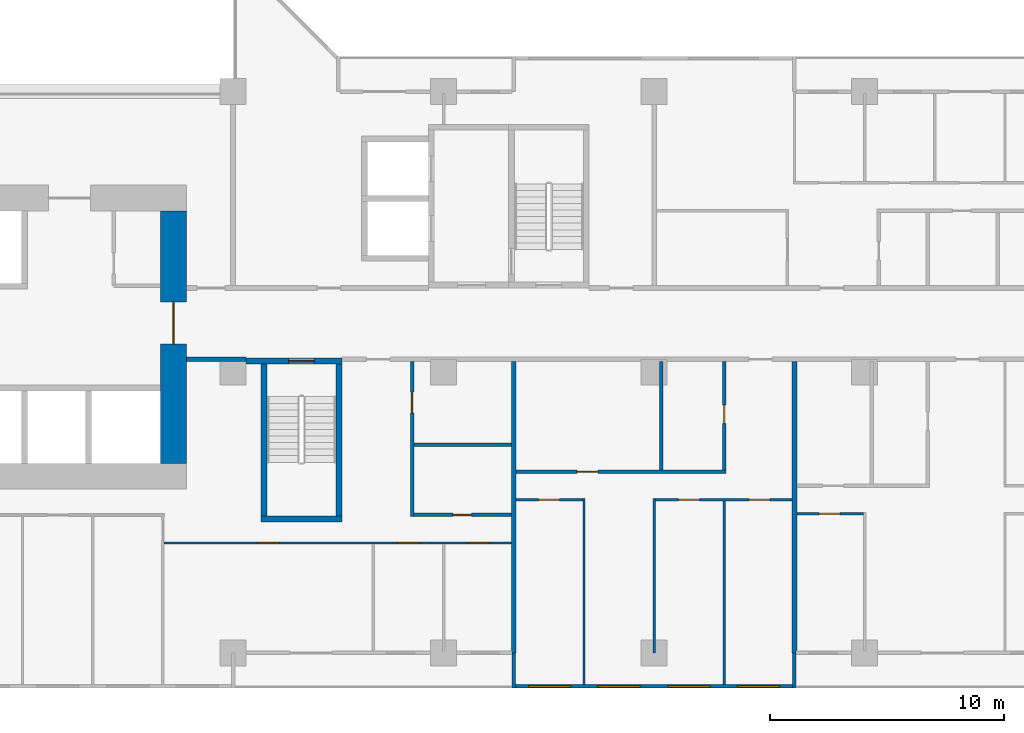
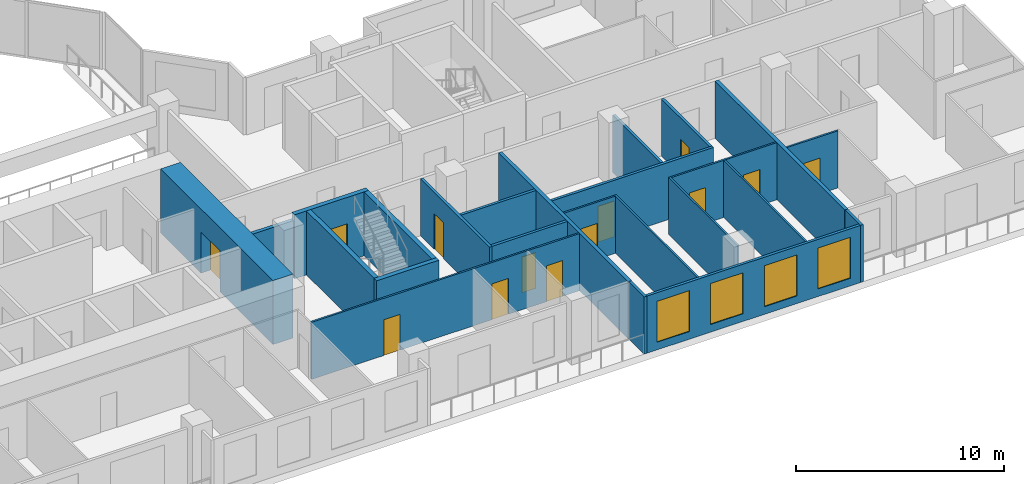
# One storey, part 6 of 15: 24 walls, 13 doors, 4 windows, 17 openings.
"""IFC4 building model written with IfcOpenShell, lengths in metres."""

from ifc_helpers import new_model, si_unit, direction, frame, frame_2d, origin, place, context, subcontext, project, spatial, rectangle, extrude, material, layer, layer_set, type_object, element, fill, save


model = new_model("IFC4")

# Units and contexts
model_context = context("Model", 3, precision=1e-05, world=origin(), true_north=direction((0.0, 1.0)))
body_context = subcontext(model_context, "Body", "Model", "MODEL_VIEW")
ifc_project = project(units=[si_unit("LENGTHUNIT", "METRE"), si_unit("AREAUNIT", "SQUARE_METRE"), si_unit("VOLUMEUNIT", "CUBIC_METRE"), si_unit("PLANEANGLEUNIT", "RADIAN"), si_unit("MASSUNIT", "GRAM", prefix="KILO")], contexts=[model_context])

# Site, building, storey
site_placement = place(None, origin())
site = spatial("IfcSite", under=ifc_project, at=site_placement, CompositionType="ELEMENT")
building_placement = place(site_placement, origin())
building = spatial("IfcBuilding", under=site, at=building_placement, Name="Chenar Terraces", CompositionType="ELEMENT")
storey_placement = place(building_placement, frame((0.0, 0.0, 45.14990234375)))
storey = spatial("IfcBuildingStorey", under=building, at=storey_placement, Name="L08", CompositionType="ELEMENT", Elevation=45.14990234375)

# Wall, opening, door
ifc_material_1 = material(Name="Concrete C70/85", Category="concrete")
ifc_layer_1 = layer(ifc_material_1, 1.10009765625)
ifc_layer_set_1 = layer_set([ifc_layer_1], Name="Concrete C70/85")
wall_type_1 = type_object("IfcWallType", Name="Core wall 1100 Concrete C70/85", PredefinedType="SHEAR", material=ifc_layer_set_1)
wall_1_placement = place(storey_placement, frame((33.449951171875, 8.10009765625, 0.0), z_axis=(0.0, 0.0, 1.0), x_axis=(0.0, 1.0, 0.0)))
wall_1 = element("IfcWall", 1, at=wall_1_placement, inside=storey, type_object=wall_type_1, Name="Core wall E L08", PredefinedType="SHEAR", context=body_context, shape_type="SweptSolid", body=[
    extrude(rectangle(XDim=10.7998046875, YDim=1.10009765625, at=frame_2d((5.39990234375, 0.0))), origin(), (0.0, 0.0, 1.0), 3.75),
])
opening_1_placement = place(wall_1_placement, frame((5.10009765625, 0.0, 0.0)))
opening_1 = element("IfcOpeningElement", 2, at=opening_1_placement, cuts=wall_1, Name="Opening DL08-C1", PredefinedType="OPENING", context=body_context, shape_type="SweptSolid", body=[
    extrude(rectangle(XDim=1.800048828125, YDim=2.39990234375, at=frame_2d((0.89990234375, 1.199951171875))), frame((0.0, 0.56005859375, 0.0), z_axis=(0.0, -1.0, 0.0), x_axis=(1.0, 0.0, 0.0)), (0.0, 0.0, 1.0), 1.1201171875),
])
ifc_material_2 = material(Name="Steel-framed fire-resisting door leaf", Category="steel")
door_type_1 = type_object("IfcDoorType", Name="Core entrance double fire door FD60 1800 x 2400", OperationType="DOUBLE_DOOR_SINGLE_SWING", PredefinedType="DOOR", material=ifc_material_2)
door_1_placement = place(opening_1_placement, origin())
door_1 = element("IfcDoor", 3, at=door_1_placement, inside=storey, type_object=door_type_1, Name="Core door DL08-C1", OperationType="DOUBLE_DOOR_SINGLE_SWING", OverallHeight=2.39990234375, OverallWidth=1.800048828125, PredefinedType="DOOR", context=body_context, shape_type="SweptSolid", body=[
    extrude(rectangle(XDim=1.800048828125, YDim=2.39990234375, at=frame_2d((0.89990234375, 1.199951171875))), frame((0.0, 0.02490234375, 0.0), z_axis=(0.0, -1.0, 0.0), x_axis=(1.0, 0.0, 0.0)), (0.0, 0.0, 1.0), 0.050048828125),
])
fill(opening_1, door_1)

# Wall
ifc_material_3 = material(Name="Concrete C70/85", Category="concrete")
ifc_layer_2 = layer(ifc_material_3, 0.25)
ifc_layer_set_2 = layer_set([ifc_layer_2], Name="Concrete C70/85")
wall_type_2 = type_object("IfcWallType", Name="Core wall 250 Concrete C70/85", PredefinedType="SHEAR", material=ifc_layer_set_2)
wall_2_placement = place(storey_placement, frame((37.199951171875, 5.72509765625, 0.0), z_axis=(0.0, 0.0, 1.0), x_axis=(1.0, 0.0, 0.0)))
element("IfcWall", 4, at=wall_2_placement, inside=storey, type_object=wall_type_2, Name="Core wall ST2_S L08", PredefinedType="SHEAR", context=body_context, shape_type="SweptSolid", body=[
    extrude(rectangle(XDim=3.449951171875, YDim=0.25, at=frame_2d((1.72509765625, 0.0))), origin(), (0.0, 0.0, 1.0), 3.75),
])

# Wall, opening, door
wall_3_placement = place(storey_placement, frame((36.550048828125, 12.47509765625, 0.0), z_axis=(0.0, 0.0, 1.0), x_axis=(1.0, 0.0, 0.0)))
wall_3 = element("IfcWall", 5, at=wall_3_placement, inside=storey, type_object=wall_type_2, Name="Core wall ST2_N L08", PredefinedType="SHEAR", context=body_context, shape_type="SweptSolid", body=[
    extrude(rectangle(XDim=4.099853515625, YDim=0.25, at=frame_2d((2.0498046875, 0.0))), origin(), (0.0, 0.0, 1.0), 3.75),
])
opening_2_placement = place(wall_3_placement, frame((1.824951171875, 0.0, 0.0)))
opening_2 = element("IfcOpeningElement", 6, at=opening_2_placement, cuts=wall_3, Name="Opening DL08-C7", PredefinedType="OPENING", context=body_context, shape_type="SweptSolid", body=[
    extrude(rectangle(XDim=1.10009765625, YDim=2.199951171875, at=frame_2d((0.550048828125, 1.10009765625))), frame((0.0, 0.135009765625, 0.0), z_axis=(0.0, -1.0, 0.0), x_axis=(1.0, 0.0, 0.0)), (0.0, 0.0, 1.0), 0.27001953125),
])
ifc_material_4 = material(Name="Steel-framed fire-resisting door leaf", Category="steel")
door_type_2 = type_object("IfcDoorType", Name="Stair fire door FD60 1100 x 2200", OperationType="SINGLE_SWING_LEFT", PredefinedType="DOOR", material=ifc_material_4)
door_2_placement = place(opening_2_placement, frame((1.10009765625, 0.0, 0.0), z_axis=(0.0, 0.0, 1.0), x_axis=(-1.0, 0.0, 0.0)))
door_2 = element("IfcDoor", 7, at=door_2_placement, inside=storey, type_object=door_type_2, Name="Stair door DL08-C7", OperationType="SINGLE_SWING_LEFT", OverallHeight=2.199951171875, OverallWidth=1.10009765625, PredefinedType="DOOR", context=body_context, shape_type="SweptSolid", body=[
    extrude(rectangle(XDim=1.10009765625, YDim=2.199951171875, at=frame_2d((0.550048828125, 1.10009765625))), frame((0.0, 0.02490234375, 0.0), z_axis=(0.0, -1.0, 0.0), x_axis=(1.0, 0.0, 0.0)), (0.0, 0.0, 1.0), 0.050048828125),
])
fill(opening_2, door_2)

# Walls
for number, where, z_axis, x_axis, name in (
    (8, (37.324951171875, 5.85009765625, 0.0), (0.0, 0.0, 1.0), (0.0, 1.0, 0.0), "Core wall ST2_W L08"),
    (9, (40.52490234375, 5.85009765625, 0.0), (0.0, 0.0, 1.0), (0.0, 1.0, 0.0), "Core wall ST2_E L08"),
):
    element("IfcWall", number, at=place(storey_placement, frame(where, z_axis=z_axis, x_axis=x_axis)), inside=storey, type_object=wall_type_2, Name=name, PredefinedType="SHEAR", context=body_context, shape_type="SweptSolid", body=[
        extrude(rectangle(XDim=6.5, YDim=0.25, at=frame_2d((3.25, 0.0))), origin(), (0.0, 0.0, 1.0), 3.75),
    ])
ifc_material_5 = material(Name="Gypsum board on steel studs with fire boards", Category="steel")
ifc_layer_3 = layer(ifc_material_5, 0.199951171875)
ifc_layer_set_3 = layer_set([ifc_layer_3], Name="Gypsum board on steel studs with fire boards")
wall_type_3 = type_object("IfcWallType", Name="Corridor wall 200", PredefinedType="PARTITIONING", material=ifc_layer_set_3)
wall_4_placement = place(storey_placement, frame((34.0, 12.550048828125, 0.0), z_axis=(0.0, 0.0, 1.0), x_axis=(1.0, 0.0, 0.0)))
element("IfcWall", 10, at=wall_4_placement, inside=storey, type_object=wall_type_3, Name="Partition L08-061", PredefinedType="PARTITIONING", context=body_context, shape_type="SweptSolid", body=[
    extrude(rectangle(XDim=2.551025390625, YDim=0.199951171875, at=frame_2d((1.275390625, 0.0))), origin(), (0.0, 0.0, 1.0), 3.35009765625),
])

# Wall, openings, windows
ifc_material_6 = material(Name="Aluminium framed glazing", Category="aluminium")
ifc_layer_4 = layer(ifc_material_6, 0.14990234375)
ifc_layer_set_4 = layer_set([ifc_layer_4], Name="Aluminium framed glazing")
wall_type_4 = type_object("IfcWallType", Name="Glazed flush facade wall 150", PredefinedType="SOLIDWALL", material=ifc_layer_set_4)
wall_5_placement = place(storey_placement, frame((48.074951171875, -1.425048828125, 0.0), z_axis=(0.0, 0.0, 1.0), x_axis=(1.0, 0.0, 0.0)))
wall_5 = element("IfcWall", 11, at=wall_5_placement, inside=storey, type_object=wall_type_4, Name="Glazed flush facade wall", PredefinedType="SOLIDWALL", context=body_context, shape_type="SweptSolid", body=[
    extrude(rectangle(XDim=11.85009765625, YDim=0.14990234375, at=frame_2d((5.925048828125, 0.0))), origin(), (0.0, 0.0, 1.0), 3.35009765625),
])
opening_3_placement = place(wall_5_placement, frame((0.5625, 0.0, 0.449951171875)))
opening_3 = element("IfcOpeningElement", 12, at=opening_3_placement, cuts=wall_5, Name="Opening W180x240", PredefinedType="OPENING", context=body_context, shape_type="SweptSolid", body=[
    extrude(rectangle(XDim=1.800048828125, YDim=2.39990234375, at=frame_2d((0.89990234375, 1.199951171875))), frame((0.0, 0.0849609375, 0.0), z_axis=(0.0, -1.0, 0.0), x_axis=(1.0, 0.0, 0.0)), (0.0, 0.0, 1.0), 0.169921875),
])
opening_4_placement = place(wall_5_placement, frame((3.52490234375, 0.0, 0.449951171875)))
opening_4 = element("IfcOpeningElement", 13, at=opening_4_placement, cuts=wall_5, Name="Opening W180x240", PredefinedType="OPENING", context=body_context, shape_type="SweptSolid", body=[
    extrude(rectangle(XDim=1.800048828125, YDim=2.39990234375, at=frame_2d((0.89990234375, 1.199951171875))), frame((0.0, 0.0849609375, 0.0), z_axis=(0.0, -1.0, 0.0), x_axis=(1.0, 0.0, 0.0)), (0.0, 0.0, 1.0), 0.169921875),
])
opening_5_placement = place(wall_5_placement, frame((6.52490234375, 0.0, 0.449951171875)))
opening_5 = element("IfcOpeningElement", 14, at=opening_5_placement, cuts=wall_5, Name="Opening W180x240", PredefinedType="OPENING", context=body_context, shape_type="SweptSolid", body=[
    extrude(rectangle(XDim=1.800048828125, YDim=2.39990234375, at=frame_2d((0.89990234375, 1.199951171875))), frame((0.0, 0.0849609375, 0.0), z_axis=(0.0, -1.0, 0.0), x_axis=(1.0, 0.0, 0.0)), (0.0, 0.0, 1.0), 0.169921875),
])
opening_6_placement = place(wall_5_placement, frame((9.487548828125, 0.0, 0.449951171875)))
opening_6 = element("IfcOpeningElement", 15, at=opening_6_placement, cuts=wall_5, Name="Opening W180x240", PredefinedType="OPENING", context=body_context, shape_type="SweptSolid", body=[
    extrude(rectangle(XDim=1.800048828125, YDim=2.39990234375, at=frame_2d((0.89990234375, 1.199951171875))), frame((0.0, 0.0849609375, 0.0), z_axis=(0.0, -1.0, 0.0), x_axis=(1.0, 0.0, 0.0)), (0.0, 0.0, 1.0), 0.169921875),
])
ifc_material_7 = material(Name="Low emissivity double glazing, aluminium frame", Category="aluminium")
window_type = type_object("IfcWindowType", Name="Fixed light 1800 x 2400", PartitioningType="SINGLE_PANEL", PredefinedType="WINDOW", material=ifc_material_7)
window_1_placement = place(opening_3_placement, origin())
window_1 = element("IfcWindow", 16, at=window_1_placement, inside=storey, type_object=window_type, Name="Window", OverallHeight=2.39990234375, OverallWidth=1.800048828125, PartitioningType="SINGLE_PANEL", PredefinedType="WINDOW", context=body_context, shape_type="SweptSolid", body=[
    extrude(rectangle(XDim=1.800048828125, YDim=2.39990234375, at=frame_2d((0.89990234375, 1.199951171875))), frame((0.0, 0.030029296875, 0.0), z_axis=(0.0, -1.0, 0.0), x_axis=(1.0, 0.0, 0.0)), (0.0, 0.0, 1.0), 0.06005859375),
])
fill(opening_3, window_1)
window_2_placement = place(opening_4_placement, origin())
window_2 = element("IfcWindow", 17, at=window_2_placement, inside=storey, type_object=window_type, Name="Window", OverallHeight=2.39990234375, OverallWidth=1.800048828125, PartitioningType="SINGLE_PANEL", PredefinedType="WINDOW", context=body_context, shape_type="SweptSolid", body=[
    extrude(rectangle(XDim=1.800048828125, YDim=2.39990234375, at=frame_2d((0.89990234375, 1.199951171875))), frame((0.0, 0.030029296875, 0.0), z_axis=(0.0, -1.0, 0.0), x_axis=(1.0, 0.0, 0.0)), (0.0, 0.0, 1.0), 0.06005859375),
])
fill(opening_4, window_2)
window_3_placement = place(opening_5_placement, origin())
window_3 = element("IfcWindow", 18, at=window_3_placement, inside=storey, type_object=window_type, Name="Window", OverallHeight=2.39990234375, OverallWidth=1.800048828125, PartitioningType="SINGLE_PANEL", PredefinedType="WINDOW", context=body_context, shape_type="SweptSolid", body=[
    extrude(rectangle(XDim=1.800048828125, YDim=2.39990234375, at=frame_2d((0.89990234375, 1.199951171875))), frame((0.0, 0.030029296875, 0.0), z_axis=(0.0, -1.0, 0.0), x_axis=(1.0, 0.0, 0.0)), (0.0, 0.0, 1.0), 0.06005859375),
])
fill(opening_5, window_3)
window_4_placement = place(opening_6_placement, origin())
window_4 = element("IfcWindow", 19, at=window_4_placement, inside=storey, type_object=window_type, Name="Window", OverallHeight=2.39990234375, OverallWidth=1.800048828125, PartitioningType="SINGLE_PANEL", PredefinedType="WINDOW", context=body_context, shape_type="SweptSolid", body=[
    extrude(rectangle(XDim=1.800048828125, YDim=2.39990234375, at=frame_2d((0.89990234375, 1.199951171875))), frame((0.0, 0.030029296875, 0.0), z_axis=(0.0, -1.0, 0.0), x_axis=(1.0, 0.0, 0.0)), (0.0, 0.0, 1.0), 0.06005859375),
])
fill(opening_6, window_4)

# Wall, openings, doors
ifc_material_8 = material(Name="Gypsum board on steel studs", Category="steel")
ifc_layer_5 = layer(ifc_material_8, 0.10009765625)
ifc_layer_set_5 = layer_set([ifc_layer_5], Name="Gypsum board on steel studs")
wall_type_5 = type_object("IfcWallType", Name="Gypsum partition 100", PredefinedType="PARTITIONING", material=ifc_layer_set_5)
wall_6_placement = place(storey_placement, frame((33.050048828125, 4.699951171875, 0.0), z_axis=(0.0, 0.0, 1.0), x_axis=(1.0, 0.0, 0.0)))
wall_6 = element("IfcWall", 20, at=wall_6_placement, inside=storey, type_object=wall_type_5, Name="Partition L08-060", PredefinedType="PARTITIONING", context=body_context, shape_type="SweptSolid", body=[
    extrude(rectangle(XDim=14.849853515625, YDim=0.10009765625, at=frame_2d((7.4248046875, 0.0))), origin(), (0.0, 0.0, 1.0), 3.35009765625),
])
opening_7_placement = place(wall_6_placement, frame((10.0, 0.0, 0.0)))
opening_7 = element("IfcOpeningElement", 21, at=opening_7_placement, cuts=wall_6, Name="Opening DL08-57", PredefinedType="OPENING", context=body_context, shape_type="SweptSolid", body=[
    extrude(rectangle(XDim=0.89990234375, YDim=2.10009765625, at=frame_2d((0.449951171875, 1.050048828125))), frame((0.0, 0.06005859375, 0.0), z_axis=(0.0, -1.0, 0.0), x_axis=(1.0, 0.0, 0.0)), (0.0, 0.0, 1.0), 0.1201171875),
])
opening_8_placement = place(wall_6_placement, frame((13.0, 0.0, 0.0)))
opening_8 = element("IfcOpeningElement", 22, at=opening_8_placement, cuts=wall_6, Name="Opening DL08-58", PredefinedType="OPENING", context=body_context, shape_type="SweptSolid", body=[
    extrude(rectangle(XDim=0.89990234375, YDim=2.10009765625, at=frame_2d((0.449951171875, 1.050048828125))), frame((0.0, 0.06005859375, 0.0), z_axis=(0.0, -1.0, 0.0), x_axis=(1.0, 0.0, 0.0)), (0.0, 0.0, 1.0), 0.1201171875),
])
opening_9_placement = place(wall_6_placement, frame((4.0, 0.0, 0.0)))
opening_9 = element("IfcOpeningElement", 23, at=opening_9_placement, cuts=wall_6, Name="Opening DL08-64", PredefinedType="OPENING", context=body_context, shape_type="SweptSolid", body=[
    extrude(rectangle(XDim=0.89990234375, YDim=2.10009765625, at=frame_2d((0.449951171875, 1.050048828125))), frame((0.0, 0.06005859375, 0.0), z_axis=(0.0, -1.0, 0.0), x_axis=(1.0, 0.0, 0.0)), (0.0, 0.0, 1.0), 0.1201171875),
])
ifc_material_9 = material(Name="Veneered timber door leaf", Category="wood")
door_type_3 = type_object("IfcDoorType", Name="Door 900 x 2100", OperationType="SINGLE_SWING_LEFT", PredefinedType="DOOR", material=ifc_material_9)
door_3_placement = place(opening_7_placement, frame((0.89990234375, 0.0, 0.0), z_axis=(0.0, 0.0, 1.0), x_axis=(-1.0, 0.0, 0.0)))
door_3 = element("IfcDoor", 24, at=door_3_placement, inside=storey, type_object=door_type_3, Name="Door DL08-57", OperationType="SINGLE_SWING_LEFT", OverallHeight=2.10009765625, OverallWidth=0.89990234375, PredefinedType="DOOR", context=body_context, shape_type="SweptSolid", body=[
    extrude(rectangle(XDim=0.89990234375, YDim=2.10009765625, at=frame_2d((0.449951171875, 1.050048828125))), frame((0.0, 0.02490234375, 0.0), z_axis=(0.0, -1.0, 0.0), x_axis=(1.0, 0.0, 0.0)), (0.0, 0.0, 1.0), 0.050048828125),
])
fill(opening_7, door_3)
door_4_placement = place(opening_8_placement, frame((0.89990234375, 0.0, 0.0), z_axis=(0.0, 0.0, 1.0), x_axis=(-1.0, 0.0, 0.0)))
door_4 = element("IfcDoor", 25, at=door_4_placement, inside=storey, type_object=door_type_3, Name="Door DL08-58", OperationType="SINGLE_SWING_LEFT", OverallHeight=2.10009765625, OverallWidth=0.89990234375, PredefinedType="DOOR", context=body_context, shape_type="SweptSolid", body=[
    extrude(rectangle(XDim=0.89990234375, YDim=2.10009765625, at=frame_2d((0.449951171875, 1.050048828125))), frame((0.0, 0.02490234375, 0.0), z_axis=(0.0, -1.0, 0.0), x_axis=(1.0, 0.0, 0.0)), (0.0, 0.0, 1.0), 0.050048828125),
])
fill(opening_8, door_4)
door_5_placement = place(opening_9_placement, frame((0.89990234375, 0.0, 0.0), z_axis=(0.0, 0.0, 1.0), x_axis=(-1.0, 0.0, 0.0)))
door_5 = element("IfcDoor", 26, at=door_5_placement, inside=storey, type_object=door_type_3, Name="Door DL08-64", OperationType="SINGLE_SWING_LEFT", OverallHeight=2.10009765625, OverallWidth=0.89990234375, PredefinedType="DOOR", context=body_context, shape_type="SweptSolid", body=[
    extrude(rectangle(XDim=0.89990234375, YDim=2.10009765625, at=frame_2d((0.449951171875, 1.050048828125))), frame((0.0, 0.02490234375, 0.0), z_axis=(0.0, -1.0, 0.0), x_axis=(1.0, 0.0, 0.0)), (0.0, 0.0, 1.0), 0.050048828125),
])
fill(opening_9, door_5)

# Wall, opening, door
wall_7_placement = place(storey_placement, frame((48.10009765625, 6.550048828125, 0.0), z_axis=(0.0, 0.0, 1.0), x_axis=(1.0, 0.0, 0.0)))
wall_7 = element("IfcWall", 27, at=wall_7_placement, inside=storey, type_object=wall_type_5, Name="Partition L08-072", PredefinedType="PARTITIONING", context=body_context, shape_type="SweptSolid", body=[
    extrude(rectangle(XDim=2.849853515625, YDim=0.10009765625, at=frame_2d((1.4248046875, 0.0))), origin(), (0.0, 0.0, 1.0), 3.35009765625),
])
opening_10_placement = place(wall_7_placement, frame((0.949951171875, 0.0, 0.0)))
opening_10 = element("IfcOpeningElement", 28, at=opening_10_placement, cuts=wall_7, Name="Opening DL08-14", PredefinedType="OPENING", context=body_context, shape_type="SweptSolid", body=[
    extrude(rectangle(XDim=0.89990234375, YDim=2.10009765625, at=frame_2d((0.449951171875, 1.050048828125))), frame((0.0, 0.06005859375, 0.0), z_axis=(0.0, -1.0, 0.0), x_axis=(1.0, 0.0, 0.0)), (0.0, 0.0, 1.0), 0.1201171875),
])
door_6_placement = place(opening_10_placement, frame((0.89990234375, 0.0, 0.0), z_axis=(0.0, 0.0, 1.0), x_axis=(-1.0, 0.0, 0.0)))
door_6 = element("IfcDoor", 29, at=door_6_placement, inside=storey, type_object=door_type_3, Name="Door DL08-14", OperationType="SINGLE_SWING_LEFT", OverallHeight=2.10009765625, OverallWidth=0.89990234375, PredefinedType="DOOR", context=body_context, shape_type="SweptSolid", body=[
    extrude(rectangle(XDim=0.89990234375, YDim=2.10009765625, at=frame_2d((0.449951171875, 1.050048828125))), frame((0.0, 0.02490234375, 0.0), z_axis=(0.0, -1.0, 0.0), x_axis=(1.0, 0.0, 0.0)), (0.0, 0.0, 1.0), 0.050048828125),
])
fill(opening_10, door_6)

# Walls
wall_8_placement = place(storey_placement, frame((51.0, -1.35009765625, 0.0), z_axis=(0.0, 0.0, 1.0), x_axis=(0.0, 1.0, 0.0)))
element("IfcWall", 30, at=wall_8_placement, inside=storey, type_object=wall_type_5, Name="Partition L08-074", PredefinedType="PARTITIONING", context=body_context, shape_type="SweptSolid", body=[
    extrude(rectangle(XDim=7.9501953125, YDim=0.10009765625, at=frame_2d((3.97509765625, 0.0))), origin(), (0.0, 0.0, 1.0), 3.35009765625),
])
wall_9_placement = place(storey_placement, frame((54.0, 0.0, 0.0), z_axis=(0.0, 0.0, 1.0), x_axis=(0.0, 1.0, 0.0)))
element("IfcWall", 31, at=wall_9_placement, inside=storey, type_object=wall_type_5, Name="Partition L08-076", PredefinedType="PARTITIONING", context=body_context, shape_type="SweptSolid", body=[
    extrude(rectangle(XDim=6.60009765625, YDim=0.10009765625, at=frame_2d((3.300048828125, 0.0))), origin(), (0.0, 0.0, 1.0), 3.35009765625),
])

# Wall, openings, doors
wall_10_placement = place(storey_placement, frame((54.050048828125, 6.550048828125, 0.0), z_axis=(0.0, 0.0, 1.0), x_axis=(1.0, 0.0, 0.0)))
wall_10 = element("IfcWall", 32, at=wall_10_placement, inside=storey, type_object=wall_type_5, Name="Partition L08-078", PredefinedType="PARTITIONING", context=body_context, shape_type="SweptSolid", body=[
    extrude(rectangle(XDim=5.849853515625, YDim=0.10009765625, at=frame_2d((2.9248046875, 0.0))), origin(), (0.0, 0.0, 1.0), 3.35009765625),
])
opening_11_placement = place(wall_10_placement, frame((1.0, 0.0, 0.0)))
opening_11 = element("IfcOpeningElement", 33, at=opening_11_placement, cuts=wall_10, Name="Opening DL08-15", PredefinedType="OPENING", context=body_context, shape_type="SweptSolid", body=[
    extrude(rectangle(XDim=0.89990234375, YDim=2.10009765625, at=frame_2d((0.449951171875, 1.050048828125))), frame((0.0, 0.06005859375, 0.0), z_axis=(0.0, -1.0, 0.0), x_axis=(1.0, 0.0, 0.0)), (0.0, 0.0, 1.0), 0.1201171875),
])
opening_12_placement = place(wall_10_placement, frame((4.0, 0.0, 0.0)))
opening_12 = element("IfcOpeningElement", 34, at=opening_12_placement, cuts=wall_10, Name="Opening DL08-16", PredefinedType="OPENING", context=body_context, shape_type="SweptSolid", body=[
    extrude(rectangle(XDim=0.89990234375, YDim=2.10009765625, at=frame_2d((0.449951171875, 1.050048828125))), frame((0.0, 0.06005859375, 0.0), z_axis=(0.0, -1.0, 0.0), x_axis=(1.0, 0.0, 0.0)), (0.0, 0.0, 1.0), 0.1201171875),
])
door_7_placement = place(opening_11_placement, frame((0.89990234375, 0.0, 0.0), z_axis=(0.0, 0.0, 1.0), x_axis=(-1.0, 0.0, 0.0)))
door_7 = element("IfcDoor", 35, at=door_7_placement, inside=storey, type_object=door_type_3, Name="Door DL08-15", OperationType="SINGLE_SWING_LEFT", OverallHeight=2.10009765625, OverallWidth=0.89990234375, PredefinedType="DOOR", context=body_context, shape_type="SweptSolid", body=[
    extrude(rectangle(XDim=0.89990234375, YDim=2.10009765625, at=frame_2d((0.449951171875, 1.050048828125))), frame((0.0, 0.02490234375, 0.0), z_axis=(0.0, -1.0, 0.0), x_axis=(1.0, 0.0, 0.0)), (0.0, 0.0, 1.0), 0.050048828125),
])
fill(opening_11, door_7)
door_8_placement = place(opening_12_placement, frame((0.89990234375, 0.0, 0.0), z_axis=(0.0, 0.0, 1.0), x_axis=(-1.0, 0.0, 0.0)))
door_8 = element("IfcDoor", 36, at=door_8_placement, inside=storey, type_object=door_type_3, Name="Door DL08-16", OperationType="SINGLE_SWING_LEFT", OverallHeight=2.10009765625, OverallWidth=0.89990234375, PredefinedType="DOOR", context=body_context, shape_type="SweptSolid", body=[
    extrude(rectangle(XDim=0.89990234375, YDim=2.10009765625, at=frame_2d((0.449951171875, 1.050048828125))), frame((0.0, 0.02490234375, 0.0), z_axis=(0.0, -1.0, 0.0), x_axis=(1.0, 0.0, 0.0)), (0.0, 0.0, 1.0), 0.050048828125),
])
fill(opening_12, door_8)

# Wall
wall_11_placement = place(storey_placement, frame((57.0, -1.35107421875, 0.0), z_axis=(0.0, 0.0, 1.0), x_axis=(0.0, 1.0, 0.0)))
element("IfcWall", 37, at=wall_11_placement, inside=storey, type_object=wall_type_5, Name="Partition L08-081", PredefinedType="PARTITIONING", context=body_context, shape_type="SweptSolid", body=[
    extrude(rectangle(XDim=7.85107421875, YDim=0.10009765625, at=frame_2d((3.925537109375, 0.0))), origin(), (0.0, 0.0, 1.0), 3.35009765625),
])

# Wall, opening, door
wall_12_placement = place(storey_placement, frame((60.10009765625, 5.949951171875, 0.0), z_axis=(0.0, 0.0, 1.0), x_axis=(1.0, 0.0, 0.0)))
wall_12 = element("IfcWall", 38, at=wall_12_placement, inside=storey, type_object=wall_type_5, Name="Partition L08-087", PredefinedType="PARTITIONING", context=body_context, shape_type="SweptSolid", body=[
    extrude(rectangle(XDim=2.849853515625, YDim=0.10009765625, at=frame_2d((1.4248046875, 0.0))), origin(), (0.0, 0.0, 1.0), 3.35009765625),
])
opening_13_placement = place(wall_12_placement, frame((0.949951171875, 0.0, 0.0)))
opening_13 = element("IfcOpeningElement", 39, at=opening_13_placement, cuts=wall_12, Name="Opening DL08-20", PredefinedType="OPENING", context=body_context, shape_type="SweptSolid", body=[
    extrude(rectangle(XDim=0.89990234375, YDim=2.10009765625, at=frame_2d((0.449951171875, 1.050048828125))), frame((0.0, 0.06005859375, 0.0), z_axis=(0.0, -1.0, 0.0), x_axis=(1.0, 0.0, 0.0)), (0.0, 0.0, 1.0), 0.1201171875),
])
door_9_placement = place(opening_13_placement, frame((0.89990234375, 0.0, 0.0), z_axis=(0.0, 0.0, 1.0), x_axis=(-1.0, 0.0, 0.0)))
door_9 = element("IfcDoor", 40, at=door_9_placement, inside=storey, type_object=door_type_3, Name="Door DL08-20", OperationType="SINGLE_SWING_LEFT", OverallHeight=2.10009765625, OverallWidth=0.89990234375, PredefinedType="DOOR", context=body_context, shape_type="SweptSolid", body=[
    extrude(rectangle(XDim=0.89990234375, YDim=2.10009765625, at=frame_2d((0.449951171875, 1.050048828125))), frame((0.0, 0.02490234375, 0.0), z_axis=(0.0, -1.0, 0.0), x_axis=(1.0, 0.0, 0.0)), (0.0, 0.0, 1.0), 0.050048828125),
])
fill(opening_13, door_9)

# Walls
ifc_material_10 = material(Name="Terracotta cladding on insulated backing", Category="masonry")
ifc_layer_6 = layer(ifc_material_10, 0.14990234375)
ifc_layer_set_6 = layer_set([ifc_layer_6], Name="Terracotta cladding on insulated backing")
wall_type_6 = type_object("IfcWallType", Name="Loggia return wall 150", PredefinedType="SOLIDWALL", material=ifc_layer_set_6)
for number, where, z_axis, x_axis, name in (
    (41, (48.0, -1.5, 0.0), (0.0, 0.0, 1.0), (0.0, 1.0, 0.0), "Loggia return wall"),
    (42, (60.0, -1.5, 0.0), (0.0, 0.0, 1.0), (0.0, 1.0, 0.0), "Loggia return wall"),
):
    element("IfcWall", number, at=place(storey_placement, frame(where, z_axis=z_axis, x_axis=x_axis)), inside=storey, type_object=wall_type_6, Name=name, PredefinedType="SOLIDWALL", context=body_context, shape_type="SweptSolid", body=[
        extrude(rectangle(XDim=1.5, YDim=0.14990234375, at=frame_2d((0.75, 0.0))), origin(), (0.0, 0.0, 1.0), 3.35009765625),
    ])
ifc_material_11 = material(Name="Twin gypsum board on steel studs with mineral wool", Category="steel")
ifc_layer_7 = layer(ifc_material_11, 0.199951171875)
ifc_layer_set_7 = layer_set([ifc_layer_7], Name="Twin gypsum board on steel studs with mineral wool")
wall_type_7 = type_object("IfcWallType", Name="Unit demising wall 200", PredefinedType="PARTITIONING", material=ifc_layer_set_7)
for number, where, z_axis, x_axis, name in (
    (43, (48.0, 0.0, 0.0), (0.0, 0.0, 1.0), (0.0, 1.0, 0.0), "Partition L08-071"),
    (44, (60.0, 0.0, 0.0), (0.0, 0.0, 1.0), (0.0, 1.0, 0.0), "Partition L08-085"),
):
    element("IfcWall", number, at=place(storey_placement, frame(where, z_axis=z_axis, x_axis=x_axis)), inside=storey, type_object=wall_type_7, Name=name, PredefinedType="PARTITIONING", context=body_context, shape_type="SweptSolid", body=[
        extrude(rectangle(XDim=12.449951171875, YDim=0.199951171875, at=frame_2d((6.22509765625, 0.0))), origin(), (0.0, 0.0, 1.0), 3.35009765625),
    ])

# Wall, opening, door
ifc_material_12 = material(Name="Moisture-resistant gypsum board on steel studs", Category="steel")
ifc_layer_8 = layer(ifc_material_12, 0.14990234375)
ifc_layer_set_8 = layer_set([ifc_layer_8], Name="Moisture-resistant gypsum board on steel studs")
wall_type_8 = type_object("IfcWallType", Name="Wet-room partition 150", PredefinedType="PARTITIONING", material=ifc_layer_set_8)
wall_13_placement = place(storey_placement, frame((43.64990234375, 5.824951171875, 0.0), z_axis=(0.0, 0.0, 1.0), x_axis=(0.0, 1.0, 0.0)))
wall_13 = element("IfcWall", 45, at=wall_13_placement, inside=storey, type_object=wall_type_8, Name="Partition L08-066", PredefinedType="PARTITIONING", context=body_context, shape_type="SweptSolid", body=[
    extrude(rectangle(XDim=6.625, YDim=0.14990234375, at=frame_2d((3.3125, 0.0))), origin(), (0.0, 0.0, 1.0), 3.35009765625),
])
opening_14_placement = place(wall_13_placement, frame((4.425048828125, 0.0, 0.0)))
opening_14 = element("IfcOpeningElement", 46, at=opening_14_placement, cuts=wall_13, Name="Opening DL08-62", PredefinedType="OPENING", context=body_context, shape_type="SweptSolid", body=[
    extrude(rectangle(XDim=0.89990234375, YDim=2.10009765625, at=frame_2d((0.449951171875, 1.050048828125))), frame((0.0, 0.0849609375, 0.0), z_axis=(0.0, -1.0, 0.0), x_axis=(1.0, 0.0, 0.0)), (0.0, 0.0, 1.0), 0.169921875),
])
door_10_placement = place(opening_14_placement, frame((0.89990234375, 0.0, 0.0), z_axis=(0.0, 0.0, 1.0), x_axis=(-1.0, 0.0, 0.0)))
door_10 = element("IfcDoor", 47, at=door_10_placement, inside=storey, type_object=door_type_3, Name="Door DL08-62", OperationType="SINGLE_SWING_LEFT", OverallHeight=2.10009765625, OverallWidth=0.89990234375, PredefinedType="DOOR", context=body_context, shape_type="SweptSolid", body=[
    extrude(rectangle(XDim=0.89990234375, YDim=2.10009765625, at=frame_2d((0.449951171875, 1.050048828125))), frame((0.0, 0.02490234375, 0.0), z_axis=(0.0, -1.0, 0.0), x_axis=(1.0, 0.0, 0.0)), (0.0, 0.0, 1.0), 0.050048828125),
])
fill(opening_14, door_10)

wall_14_placement = place(storey_placement, frame((43.72509765625, 5.89990234375, 0.0), z_axis=(0.0, 0.0, 1.0), x_axis=(1.0, 0.0, 0.0)))
wall_14 = element("IfcWall", 48, at=wall_14_placement, inside=storey, type_object=wall_type_8, Name="Partition L08-067", PredefinedType="PARTITIONING", context=body_context, shape_type="SweptSolid", body=[
    extrude(rectangle(XDim=4.1748046875, YDim=0.14990234375, at=frame_2d((2.08740234375, 0.0))), origin(), (0.0, 0.0, 1.0), 3.35009765625),
])
opening_15_placement = place(wall_14_placement, frame((1.675048828125, 0.0, 0.0)))
opening_15 = element("IfcOpeningElement", 49, at=opening_15_placement, cuts=wall_14, Name="Opening DL08-52", PredefinedType="OPENING", context=body_context, shape_type="SweptSolid", body=[
    extrude(rectangle(XDim=0.800048828125, YDim=2.10009765625, at=frame_2d((0.39990234375, 1.050048828125))), frame((0.0, 0.0849609375, 0.0), z_axis=(0.0, -1.0, 0.0), x_axis=(1.0, 0.0, 0.0)), (0.0, 0.0, 1.0), 0.169921875),
])
ifc_material_13 = material(Name="Veneered timber door leaf", Category="wood")
door_type_4 = type_object("IfcDoorType", Name="Door 800 x 2100", OperationType="SINGLE_SWING_LEFT", PredefinedType="DOOR", material=ifc_material_13)
door_11_placement = place(opening_15_placement, origin())
door_11 = element("IfcDoor", 50, at=door_11_placement, inside=storey, type_object=door_type_4, Name="Door DL08-52", OperationType="SINGLE_SWING_LEFT", OverallHeight=2.10009765625, OverallWidth=0.800048828125, PredefinedType="DOOR", context=body_context, shape_type="SweptSolid", body=[
    extrude(rectangle(XDim=0.800048828125, YDim=2.10009765625, at=frame_2d((0.39990234375, 1.050048828125))), frame((0.0, 0.02490234375, 0.0), z_axis=(0.0, -1.0, 0.0), x_axis=(1.0, 0.0, 0.0)), (0.0, 0.0, 1.0), 0.050048828125),
])
fill(opening_15, door_11)

# Wall
wall_15_placement = place(storey_placement, frame((43.72509765625, 8.89990234375, 0.0), z_axis=(0.0, 0.0, 1.0), x_axis=(1.0, 0.0, 0.0)))
element("IfcWall", 51, at=wall_15_placement, inside=storey, type_object=wall_type_8, Name="Partition L08-068", PredefinedType="PARTITIONING", context=body_context, shape_type="SweptSolid", body=[
    extrude(rectangle(XDim=4.1748046875, YDim=0.14990234375, at=frame_2d((2.08740234375, 0.0))), origin(), (0.0, 0.0, 1.0), 3.35009765625),
])

# Wall, opening, door
wall_16_placement = place(storey_placement, frame((48.10009765625, 7.75, 0.0), z_axis=(0.0, 0.0, 1.0), x_axis=(1.0, 0.0, 0.0)))
wall_16 = element("IfcWall", 52, at=wall_16_placement, inside=storey, type_object=wall_type_8, Name="Partition L08-073", PredefinedType="PARTITIONING", context=body_context, shape_type="SweptSolid", body=[
    extrude(rectangle(XDim=8.974853515625, YDim=0.14990234375, at=frame_2d((4.4873046875, 0.0))), origin(), (0.0, 0.0, 1.0), 3.35009765625),
])
opening_16_placement = place(wall_16_placement, frame((2.60009765625, 0.0, 0.0)))
opening_16 = element("IfcOpeningElement", 53, at=opening_16_placement, cuts=wall_16, Name="Opening DL08-17", PredefinedType="OPENING", context=body_context, shape_type="SweptSolid", body=[
    extrude(rectangle(XDim=0.89990234375, YDim=2.10009765625, at=frame_2d((0.449951171875, 1.050048828125))), frame((0.0, 0.0849609375, 0.0), z_axis=(0.0, -1.0, 0.0), x_axis=(1.0, 0.0, 0.0)), (0.0, 0.0, 1.0), 0.169921875),
])
door_12_placement = place(opening_16_placement, origin())
door_12 = element("IfcDoor", 54, at=door_12_placement, inside=storey, type_object=door_type_3, Name="Door DL08-17", OperationType="SINGLE_SWING_RIGHT", OverallHeight=2.10009765625, OverallWidth=0.89990234375, PredefinedType="DOOR", context=body_context, shape_type="SweptSolid", body=[
    extrude(rectangle(XDim=0.89990234375, YDim=2.10009765625, at=frame_2d((0.449951171875, 1.050048828125))), frame((0.0, 0.02490234375, 0.0), z_axis=(0.0, -1.0, 0.0), x_axis=(1.0, 0.0, 0.0)), (0.0, 0.0, 1.0), 0.050048828125),
])
fill(opening_16, door_12)

# Wall
wall_17_placement = place(storey_placement, frame((54.300048828125, 7.824951171875, 0.0), z_axis=(0.0, 0.0, 1.0), x_axis=(0.0, 1.0, 0.0)))
element("IfcWall", 55, at=wall_17_placement, inside=storey, type_object=wall_type_8, Name="Partition L08-080", PredefinedType="PARTITIONING", context=body_context, shape_type="SweptSolid", body=[
    extrude(rectangle(XDim=4.625, YDim=0.14990234375, at=frame_2d((2.3125, 0.0))), origin(), (0.0, 0.0, 1.0), 3.35009765625),
])

# Wall, opening, door
wall_18_placement = place(storey_placement, frame((57.0, 7.824951171875, 0.0), z_axis=(0.0, 0.0, 1.0), x_axis=(0.0, 1.0, 0.0)))
wall_18 = element("IfcWall", 56, at=wall_18_placement, inside=storey, type_object=wall_type_8, Name="Partition L08-082", PredefinedType="PARTITIONING", context=body_context, shape_type="SweptSolid", body=[
    extrude(rectangle(XDim=4.625, YDim=0.14990234375, at=frame_2d((2.3125, 0.0))), origin(), (0.0, 0.0, 1.0), 3.35009765625),
])
opening_17_placement = place(wall_18_placement, frame((1.97509765625, 0.0, 0.0)))
opening_17 = element("IfcOpeningElement", 57, at=opening_17_placement, cuts=wall_18, Name="Opening DL08-13", PredefinedType="OPENING", context=body_context, shape_type="SweptSolid", body=[
    extrude(rectangle(XDim=0.800048828125, YDim=2.10009765625, at=frame_2d((0.39990234375, 1.050048828125))), frame((0.0, 0.0849609375, 0.0), z_axis=(0.0, -1.0, 0.0), x_axis=(1.0, 0.0, 0.0)), (0.0, 0.0, 1.0), 0.169921875),
])
door_13_placement = place(opening_17_placement, origin())
door_13 = element("IfcDoor", 58, at=door_13_placement, inside=storey, type_object=door_type_4, Name="Door DL08-13", OperationType="SINGLE_SWING_RIGHT", OverallHeight=2.10009765625, OverallWidth=0.800048828125, PredefinedType="DOOR", context=body_context, shape_type="SweptSolid", body=[
    extrude(rectangle(XDim=0.800048828125, YDim=2.10009765625, at=frame_2d((0.39990234375, 1.050048828125))), frame((0.0, 0.02490234375, 0.0), z_axis=(0.0, -1.0, 0.0), x_axis=(1.0, 0.0, 0.0)), (0.0, 0.0, 1.0), 0.050048828125),
])
fill(opening_17, door_13)

save(model, "model.ifc")
